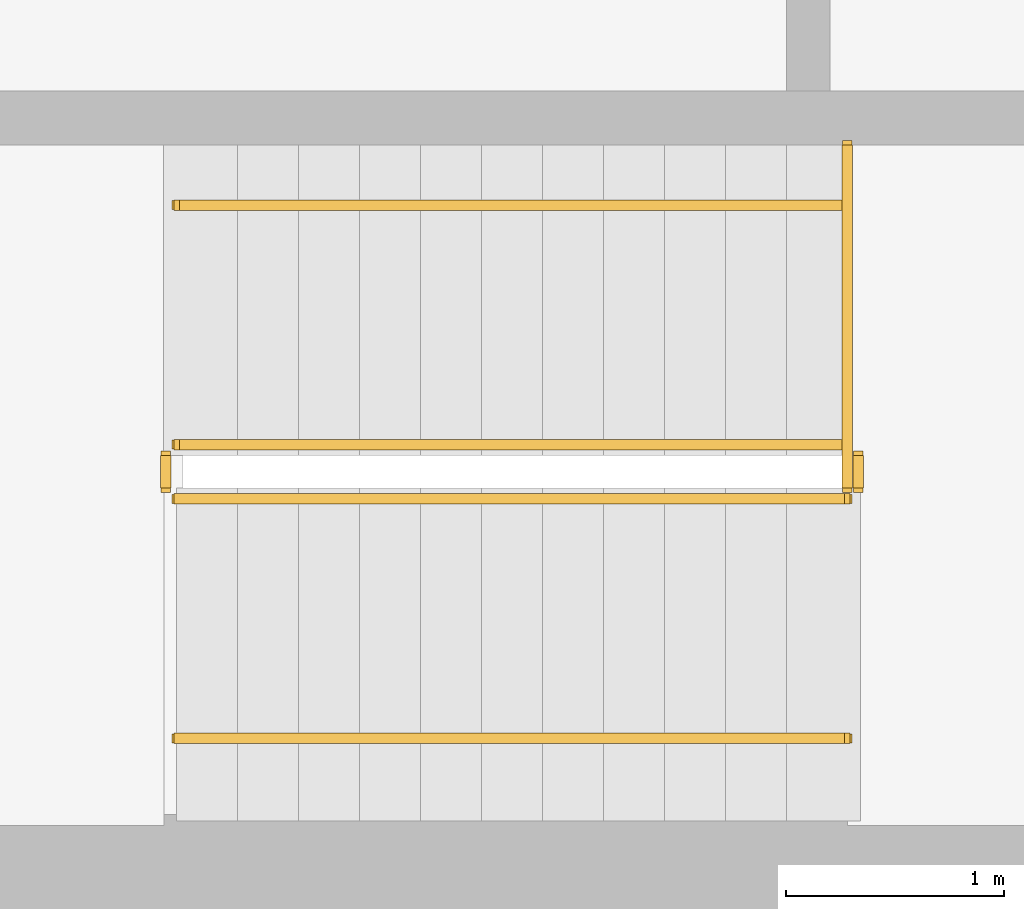
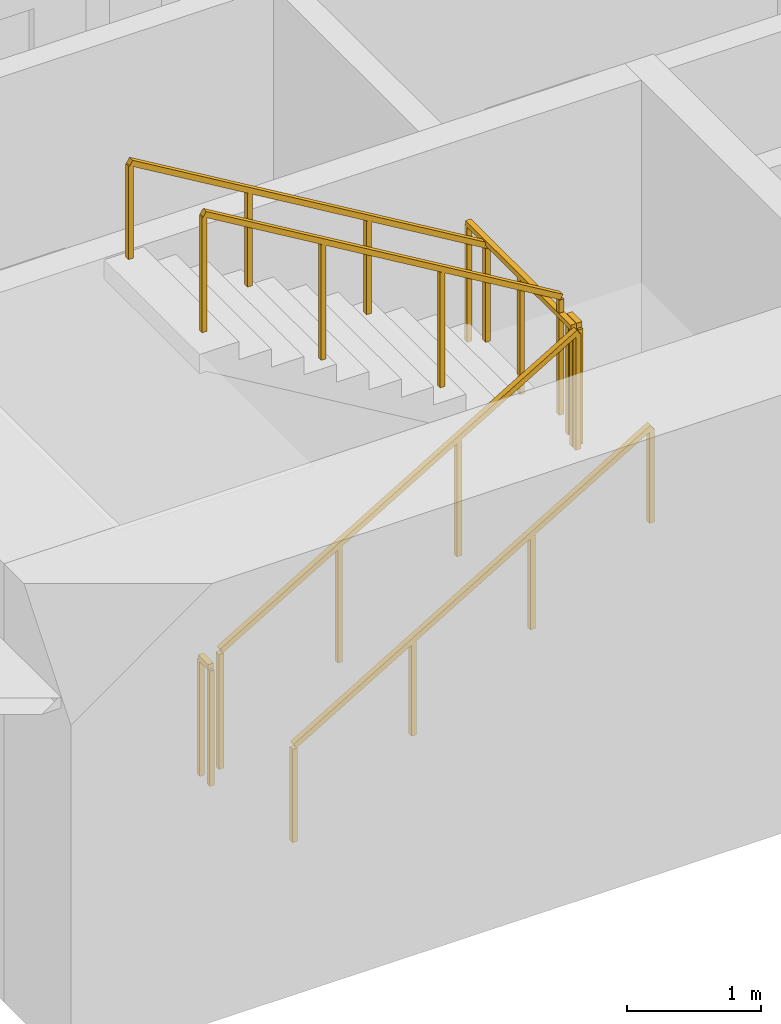
# One storey, part 14 of 17: 7 railings.
"""IFC4 building model written with IfcOpenShell, lengths in metres."""

from ifc_helpers import new_model, si_unit, direction, frame, origin, origin_2d, place, context, subcontext, project, spatial, rectangle, extrude, material, type_object, element, save


model = new_model("IFC4")

# Units and contexts
model_context = context("Model", 3, precision=1e-05, world=origin(), true_north=direction((0.0, 1.0)))
body_context = subcontext(model_context, "Body", "Model", "MODEL_VIEW")
ifc_project = project(units=[si_unit("LENGTHUNIT", "METRE"), si_unit("AREAUNIT", "SQUARE_METRE"), si_unit("VOLUMEUNIT", "CUBIC_METRE"), si_unit("PLANEANGLEUNIT", "RADIAN"), si_unit("MASSUNIT", "GRAM", prefix="KILO")], contexts=[model_context])

# Site, building, storey
site_placement = place(None, origin())
site = spatial("IfcSite", under=ifc_project, at=site_placement, CompositionType="ELEMENT")
building_placement = place(site_placement, origin())
building = spatial("IfcBuilding", under=site, at=building_placement, Name="Sennacour Bend Tower", CompositionType="ELEMENT")
storey_placement = place(building_placement, frame((0.0, 0.0, 151.0)))
storey = spatial("IfcBuildingStorey", under=building, at=storey_placement, Name="L34", CompositionType="ELEMENT", Elevation=151.0)

# Railings
ifc_material = material(Name="Stainless steel", Category="steel")
railing_type_1 = type_object("IfcRailingType", Name="RL-GUARD-1100", PredefinedType="GUARDRAIL", material=ifc_material)
railing_1_placement = place(storey_placement, frame((56.699951171875, 2.449951171875, 0.166748046875)))
element("IfcRailing", 1, at=railing_1_placement, inside=storey, type_object=railing_type_1, Name="L34 SA1 stair guard 1", PredefinedType="GUARDRAIL", context=body_context, shape_type="SweptSolid", body=[
    extrude(rectangle(XDim=0.048095703125, YDim=0.048095703125, at=origin_2d()), frame((0.0, 0.0, 1.076171875), z_axis=(0.859308565015, 0.0, 0.511457515432), x_axis=(0.0, 1.0, 0.0)), (0.0, 0.0, 1.0), 3.58447265625),
    extrude(rectangle(XDim=0.0419921875, YDim=0.0419921875, at=origin_2d()), origin(), (0.0, 0.0, 1.0), 1.052001953125),
    extrude(rectangle(XDim=0.0419921875, YDim=0.0419921875, at=origin_2d()), frame((1.026611328125, 0.0, 0.611083984375)), (0.0, 0.0, 1.0), 1.052001953125),
    extrude(rectangle(XDim=0.0419921875, YDim=0.0419921875, at=origin_2d()), frame((2.053466796875, 0.0, 1.22216796875)), (0.0, 0.0, 1.0), 1.052001953125),
    extrude(rectangle(XDim=0.0419921875, YDim=0.0419921875, at=origin_2d()), frame((3.080078125, 0.0, 1.833251953125)), (0.0, 0.0, 1.0), 1.052001953125),
])
railing_2_placement = place(storey_placement, frame((59.830078125, 2.5, 2.0)))
element("IfcRailing", 2, at=railing_2_placement, inside=storey, type_object=railing_type_1, Name="L34 SA1 stair guard 2", PredefinedType="GUARDRAIL", context=body_context, shape_type="SweptSolid", body=[
    extrude(rectangle(XDim=0.048095703125, YDim=0.048095703125, at=origin_2d()), frame((0.0, 0.0, 1.076171875), z_axis=(0.0, 1.0, 0.0), x_axis=(-1.0, 0.0, 0.0)), (0.0, 0.0, 1.0), 0.14990234375),
    extrude(rectangle(XDim=0.0419921875, YDim=0.0419921875, at=origin_2d()), origin(), (0.0, 0.0, 1.0), 1.052001953125),
    extrude(rectangle(XDim=0.0419921875, YDim=0.0419921875, at=origin_2d()), frame((0.0, 0.14990234375, 0.0)), (0.0, 0.0, 1.0), 1.052001953125),
])
railing_3_placement = place(storey_placement, frame((59.780029296875, 2.699951171875, 2.166748046875)))
element("IfcRailing", 3, at=railing_3_placement, inside=storey, type_object=railing_type_1, Name="L34 SA1 stair guard 4", PredefinedType="GUARDRAIL", context=body_context, shape_type="SweptSolid", body=[
    extrude(rectangle(XDim=0.048095703125, YDim=0.048095703125, at=origin_2d()), frame((0.0, 0.0, 1.076171875), z_axis=(-0.859308565015, 0.0, 0.511457515432), x_axis=(0.0, -1.0, 0.0)), (0.0, 0.0, 1.0), 3.58447265625),
    extrude(rectangle(XDim=0.0419921875, YDim=0.0419921875, at=origin_2d()), origin(), (0.0, 0.0, 1.0), 1.052001953125),
    extrude(rectangle(XDim=0.0419921875, YDim=0.0419921875, at=origin_2d()), frame((-1.026611328125, 0.0, 0.611083984375)), (0.0, 0.0, 1.0), 1.052001953125),
    extrude(rectangle(XDim=0.0419921875, YDim=0.0419921875, at=origin_2d()), frame((-2.053466796875, 0.0, 1.22216796875)), (0.0, 0.0, 1.0), 1.052001953125),
    extrude(rectangle(XDim=0.0419921875, YDim=0.0419921875, at=origin_2d()), frame((-3.080078125, 0.0, 1.833251953125)), (0.0, 0.0, 1.0), 1.052001953125),
])
railing_4_placement = place(storey_placement, frame((56.64990234375, 2.5, 0.0)))
element("IfcRailing", 4, at=railing_4_placement, inside=storey, type_object=railing_type_1, Name="L34 SA1 stair guard 5", PredefinedType="GUARDRAIL", context=body_context, shape_type="SweptSolid", body=[
    extrude(rectangle(XDim=0.048095703125, YDim=0.048095703125, at=origin_2d()), frame((0.0, 0.0, 1.076171875), z_axis=(0.0, 1.0, 0.0), x_axis=(-1.0, 0.0, 0.0)), (0.0, 0.0, 1.0), 0.14990234375),
    extrude(rectangle(XDim=0.0419921875, YDim=0.0419921875, at=origin_2d()), origin(), (0.0, 0.0, 1.0), 1.052001953125),
    extrude(rectangle(XDim=0.0419921875, YDim=0.0419921875, at=origin_2d()), frame((0.0, 0.14990234375, 0.0)), (0.0, 0.0, 1.0), 1.052001953125),
])
railing_5_placement = place(storey_placement, frame((59.780029296875, 2.5, 2.0)))
element("IfcRailing", 5, at=railing_5_placement, inside=storey, type_object=railing_type_1, Name="L34 SA1 landing edge guard 54", PredefinedType="GUARDRAIL", context=body_context, shape_type="SweptSolid", body=[
    extrude(rectangle(XDim=0.048095703125, YDim=0.048095703125, at=origin_2d()), frame((0.0, 0.0, 1.076171875), z_axis=(0.0, 1.0, 0.0), x_axis=(-1.0, 0.0, 0.0)), (0.0, 0.0, 1.0), 1.574951171875),
    extrude(rectangle(XDim=0.0419921875, YDim=0.0419921875, at=origin_2d()), origin(), (0.0, 0.0, 1.0), 1.052001953125),
    extrude(rectangle(XDim=0.0419921875, YDim=0.0419921875, at=origin_2d()), frame((0.0, 0.78759765625, 0.0)), (0.0, 0.0, 1.0), 1.052001953125),
    extrude(rectangle(XDim=0.0419921875, YDim=0.0419921875, at=origin_2d()), frame((0.0, 1.574951171875, 0.0)), (0.0, 0.0, 1.0), 1.052001953125),
])
railing_type_2 = type_object("IfcRailingType", Name="RL-HANDRAIL-900", PredefinedType="HANDRAIL", material=ifc_material)
railing_6_placement = place(storey_placement, frame((56.699951171875, 1.35009765625, 0.166748046875)))
element("IfcRailing", 6, at=railing_6_placement, inside=storey, type_object=railing_type_2, Name="L34 SA1 stair handrail 1", PredefinedType="HANDRAIL", context=body_context, shape_type="SweptSolid", body=[
    extrude(rectangle(XDim=0.048095703125, YDim=0.048095703125, at=origin_2d()), frame((0.0, 0.0, 0.8759765625), z_axis=(0.859308565015, 0.0, 0.511457515432), x_axis=(0.0, 1.0, 0.0)), (0.0, 0.0, 1.0), 3.58447265625),
    extrude(rectangle(XDim=0.0419921875, YDim=0.0419921875, at=origin_2d()), origin(), (0.0, 0.0, 1.0), 0.851806640625),
    extrude(rectangle(XDim=0.0419921875, YDim=0.0419921875, at=origin_2d()), frame((1.026611328125, 0.0, 0.611083984375)), (0.0, 0.0, 1.0), 0.851806640625),
    extrude(rectangle(XDim=0.0419921875, YDim=0.0419921875, at=origin_2d()), frame((2.053466796875, 0.0, 1.22216796875)), (0.0, 0.0, 1.0), 0.851806640625),
    extrude(rectangle(XDim=0.0419921875, YDim=0.0419921875, at=origin_2d()), frame((3.080078125, 0.0, 1.833251953125)), (0.0, 0.0, 1.0), 0.851806640625),
])
railing_7_placement = place(storey_placement, frame((59.780029296875, 3.800048828125, 2.166748046875)))
element("IfcRailing", 7, at=railing_7_placement, inside=storey, type_object=railing_type_2, Name="L34 SA1 stair handrail 2", PredefinedType="HANDRAIL", context=body_context, shape_type="SweptSolid", body=[
    extrude(rectangle(XDim=0.048095703125, YDim=0.048095703125, at=origin_2d()), frame((0.0, 0.0, 0.8759765625), z_axis=(-0.859308565015, 0.0, 0.511457515432), x_axis=(0.0, -1.0, 0.0)), (0.0, 0.0, 1.0), 3.58447265625),
    extrude(rectangle(XDim=0.0419921875, YDim=0.0419921875, at=origin_2d()), origin(), (0.0, 0.0, 1.0), 0.851806640625),
    extrude(rectangle(XDim=0.0419921875, YDim=0.0419921875, at=origin_2d()), frame((-1.026611328125, 0.0, 0.611083984375)), (0.0, 0.0, 1.0), 0.851806640625),
    extrude(rectangle(XDim=0.0419921875, YDim=0.0419921875, at=origin_2d()), frame((-2.053466796875, 0.0, 1.22216796875)), (0.0, 0.0, 1.0), 0.851806640625),
    extrude(rectangle(XDim=0.0419921875, YDim=0.0419921875, at=origin_2d()), frame((-3.080078125, 0.0, 1.833251953125)), (0.0, 0.0, 1.0), 0.851806640625),
])

save(model, "model.ifc")
